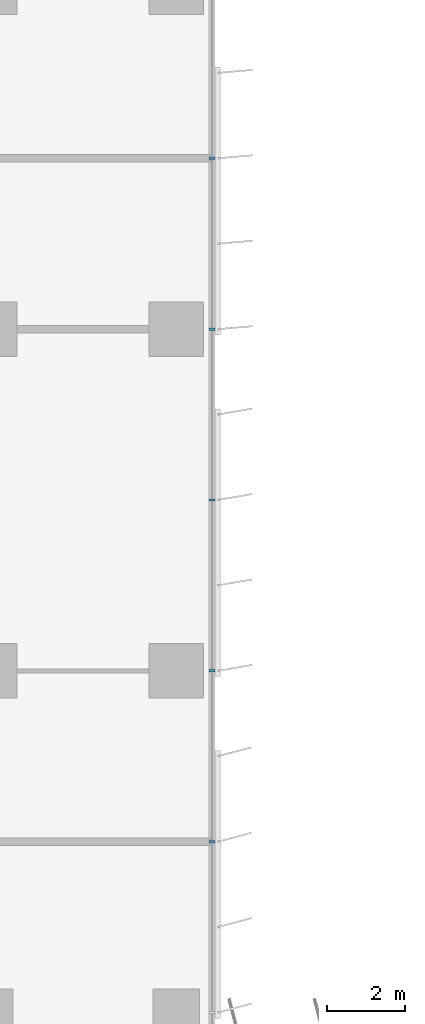
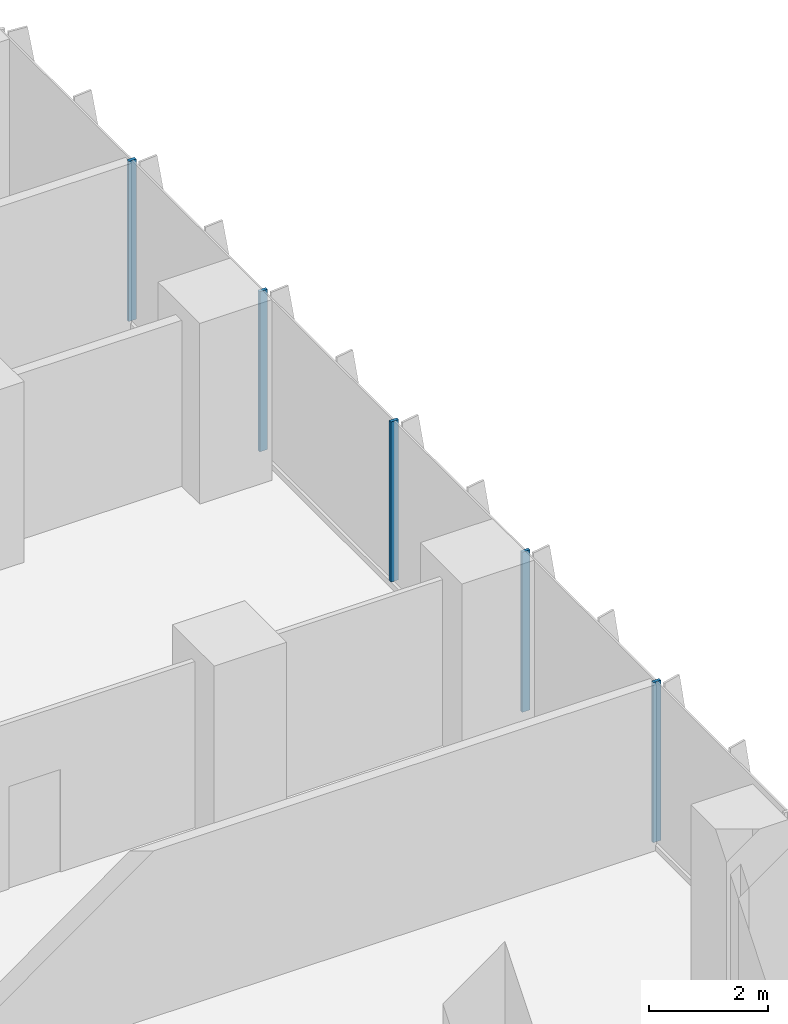
# One storey, part 5 of 24: 5 members, 1 element without a shape of its own.
"""IFC4 building model written with IfcOpenShell, lengths in metres."""

from ifc_helpers import new_model, si_unit, direction, frame, origin, origin_2d, place, context, subcontext, project, spatial, rectangle, extrude, source, transform, mapped, material, material_profile, profile_set, type_object, element, aggregate, save


model = new_model("IFC4")

# Units and contexts
model_context = context("Model", 3, precision=1e-05, world=origin(), true_north=direction((0.0, 1.0)))
body_context = subcontext(model_context, "Body", "Model", "MODEL_VIEW")
ifc_project = project(units=[si_unit("LENGTHUNIT", "METRE"), si_unit("AREAUNIT", "SQUARE_METRE"), si_unit("VOLUMEUNIT", "CUBIC_METRE"), si_unit("PLANEANGLEUNIT", "RADIAN"), si_unit("MASSUNIT", "GRAM", prefix="KILO")], contexts=[model_context])

# Site, building, storey
site_placement = place(None, origin())
site = spatial("IfcSite", under=ifc_project, at=site_placement, CompositionType="ELEMENT")
building_placement = place(site_placement, origin())
building = spatial("IfcBuilding", under=site, at=building_placement, Name="Kemantara Hotel Tower", CompositionType="ELEMENT")
storey_placement = place(building_placement, frame((0.0, 0.0, 45.10009765625)))
storey = spatial("IfcBuildingStorey", under=building, at=storey_placement, Name="L09", CompositionType="ELEMENT", Elevation=45.10009765625)

# Curtain wall, members
ifc_material_1 = material(Name="Low-E tinted double insulated glass 36 mm", Category="glass")
curtain_wall_type = type_object("IfcCurtainWallType", Name="TOWER CURTAIN WALL, FRONT FACES", PredefinedType="USERDEFINED", material=ifc_material_1)
curtain_wall_placement = place(storey_placement, origin())
curtain_wall = element("IfcCurtainWall", 1, at=curtain_wall_placement, inside=storey, type_object=curtain_wall_type, Name="CW4 L09 T1-R08-1", ObjectType="TOWER CURTAIN WALL, FRONT FACES", PredefinedType="USERDEFINED")
ifc_material_2 = material(Name="Aluminium 6063-T6 bronze anodised", Category="aluminium")
ifc_material_profile = material_profile(ifc_material_2, rectangle(XDim=0.14990234375, YDim=0.06005859375, at=origin_2d()), Name="TOWER CURTAIN WALL, FRONT FACES MULLION")
ifc_profile_set = profile_set([ifc_material_profile], Name="Aluminium 6063-T6 bronze anodised")
member_type = type_object("IfcMemberType", Name="TOWER CURTAIN WALL, FRONT FACES MULLION", PredefinedType="MULLION", material=ifc_profile_set)
shared_shape = source(origin(), body_context, "Body", "SweptSolid", [
    extrude(rectangle(XDim=0.14990234375, YDim=0.06005859375, at=origin_2d()), origin(), (0.0, 0.0, 1.0), 3.280029296875),
])
member_1_placement = place(storey_placement, frame((26.72509765625, 31.800048828125, 0.119873046875), z_axis=(0.0, 0.0, 1.0), x_axis=(-1.0, 0.0, 0.0)))
member_1 = element("IfcMember", 2, at=member_1_placement, type_object=member_type, Name="CW4 mullion T1-R08-1.3", PredefinedType="MULLION", context=body_context, shape_type="MappedRepresentation", body=[
    mapped(shared_shape, transform((0.0, 0.0, 0.0))),
])
member_2_placement = place(storey_placement, frame((26.72509765625, 36.199951171875, 0.119873046875), z_axis=(0.0, 0.0, 1.0), x_axis=(-1.0, 0.0, 0.0)))
member_2 = element("IfcMember", 3, at=member_2_placement, type_object=member_type, Name="CW4 mullion T1-R08-1.4", PredefinedType="MULLION", context=body_context, shape_type="MappedRepresentation", body=[
    mapped(shared_shape, transform((0.0, 0.0, 0.0))),
])
member_3_placement = place(storey_placement, frame((26.72509765625, 40.60009765625, 0.119873046875), z_axis=(0.0, 0.0, 1.0), x_axis=(-1.0, 0.0, 0.0)))
member_3 = element("IfcMember", 4, at=member_3_placement, type_object=member_type, Name="CW4 mullion T1-R08-1.5", PredefinedType="MULLION", context=body_context, shape_type="MappedRepresentation", body=[
    mapped(shared_shape, transform((0.0, 0.0, 0.0))),
])
member_4_placement = place(storey_placement, frame((26.72509765625, 45.0, 0.119873046875), z_axis=(0.0, 0.0, 1.0), x_axis=(-1.0, 0.0, 0.0)))
member_4 = element("IfcMember", 5, at=member_4_placement, type_object=member_type, Name="CW4 mullion T1-R08-1.6", PredefinedType="MULLION", context=body_context, shape_type="MappedRepresentation", body=[
    mapped(shared_shape, transform((0.0, 0.0, 0.0))),
])
member_5_placement = place(storey_placement, frame((26.72509765625, 49.39990234375, 0.119873046875), z_axis=(0.0, 0.0, 1.0), x_axis=(-1.0, 0.0, 0.0)))
member_5 = element("IfcMember", 6, at=member_5_placement, type_object=member_type, Name="CW4 mullion T1-R08-1.7", PredefinedType="MULLION", context=body_context, shape_type="MappedRepresentation", body=[
    mapped(shared_shape, transform((0.0, 0.0, 0.0))),
])
aggregate(curtain_wall, [member_1, member_2, member_3, member_4, member_5])

save(model, "model.ifc")
